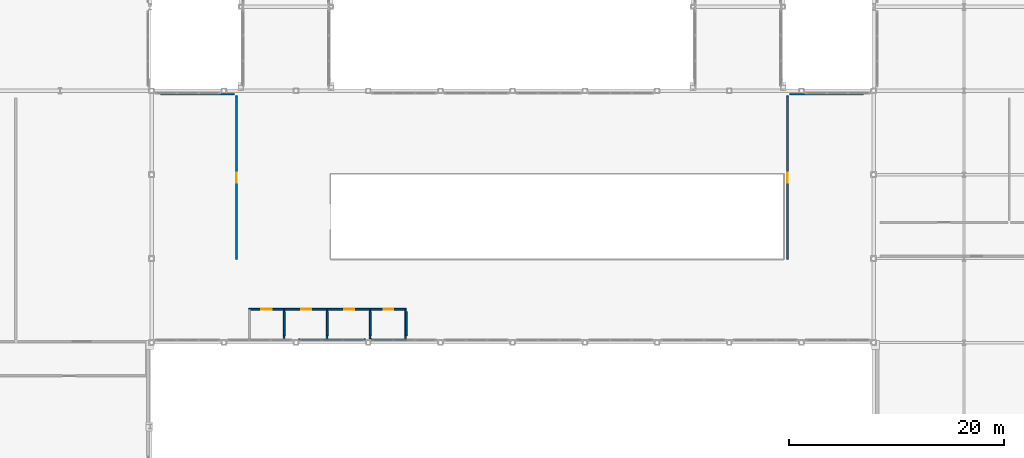
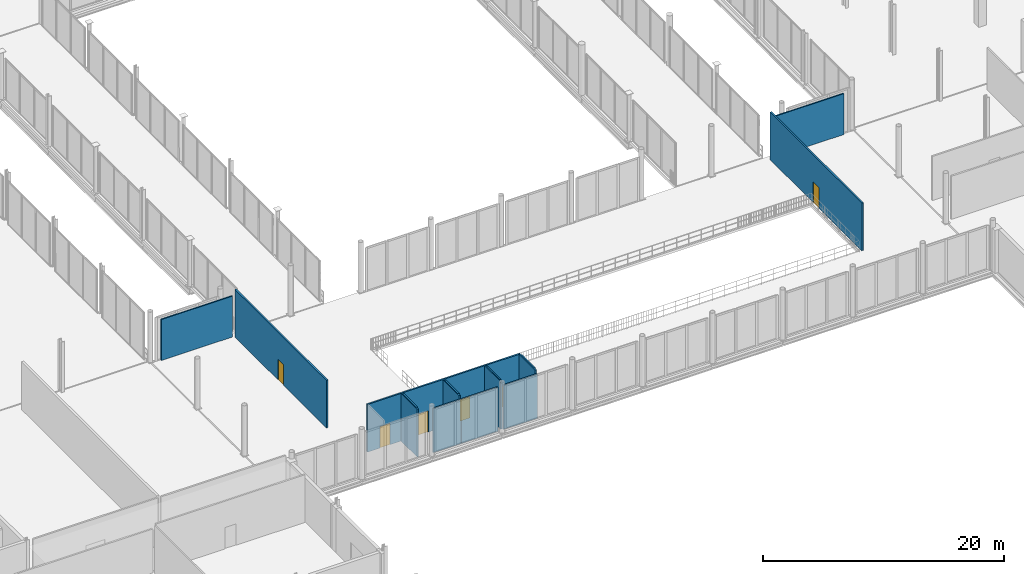
# One storey, part 77 of 105: 19 walls, 6 doors, 6 openings.
"""IFC4 building model written with IfcOpenShell, lengths in metres."""

from ifc_helpers import new_model, si_unit, direction, frame, frame_2d, origin, place, context, subcontext, project, spatial, rectangle, extrude, material, layer, layer_set, type_object, element, fill, save


model = new_model("IFC4")

# Units and contexts
model_context = context("Model", 3, precision=1e-05, world=origin(), true_north=direction((0.0, 1.0)))
body_context = subcontext(model_context, "Body", "Model", "MODEL_VIEW")
ifc_project = project(units=[si_unit("LENGTHUNIT", "METRE"), si_unit("AREAUNIT", "SQUARE_METRE"), si_unit("VOLUMEUNIT", "CUBIC_METRE"), si_unit("PLANEANGLEUNIT", "RADIAN"), si_unit("MASSUNIT", "GRAM", prefix="KILO")], contexts=[model_context])

# Site, building, storey
site_placement = place(None, origin())
site = spatial("IfcSite", under=ifc_project, at=site_placement, CompositionType="ELEMENT")
building_placement = place(site_placement, origin())
building = spatial("IfcBuilding", under=site, at=building_placement, Name="Nabrawat Pavilion Hospital", CompositionType="ELEMENT")
storey_placement = place(building_placement, frame((0.0, 0.0, 5.10009765625)))
storey = spatial("IfcBuildingStorey", under=building, at=storey_placement, Name="L01", CompositionType="ELEMENT", Elevation=5.10009765625)

# Wall, opening, door
ifc_material_1 = material(Name="Gypsum Fireboard on Steel Stud", Category="steel")
ifc_layer_1 = layer(ifc_material_1, 0.14990234375, Name="Gypsum Fireboard on Steel Stud")
ifc_layer_set_1 = layer_set([ifc_layer_1], Name="Gypsum Fireboard on Steel Stud")
wall_type_1 = type_object("IfcWallType", Name="Clinical Corridor Smoke-Barrier Wall 150", PredefinedType="PARTITIONING", material=ifc_layer_set_1)
wall_1_placement = place(storey_placement, frame((67.93505859375, 18.699951171875, 0.0), z_axis=(0.0, 0.0, 1.0), x_axis=(1.0, 0.0, 0.0)))
wall_1 = element("IfcWall", 1, at=wall_1_placement, inside=storey, type_object=wall_type_1, Name="L01 L01 Accessible WC Front Partition", PredefinedType="PARTITIONING", context=body_context, shape_type="SweptSolid", body=[
    extrude(rectangle(XDim=3.329833984375, YDim=0.14990234375, at=frame_2d((1.6650390625, 0.0))), origin(), (0.0, 0.0, 1.0), 4.81982421875),
])
opening_1_placement = place(wall_1_placement, frame((1.1650390625, 0.0, 0.0)))
opening_1 = element("IfcOpeningElement", 2, at=opening_1_placement, cuts=wall_1, Name="Opening D-WC-ACC", PredefinedType="OPENING", context=body_context, shape_type="SweptSolid", body=[
    extrude(rectangle(XDim=1.0, YDim=2.14990234375, at=frame_2d((0.5, 1.074951171875))), frame((0.0, 0.0849609375, 0.0), z_axis=(0.0, -1.0, 0.0), x_axis=(1.0, 0.0, 0.0)), (0.0, 0.0, 1.0), 0.169921875),
])
ifc_material_2 = material(Name="Stainless-Clad Acoustic Timber and Vision Glass", Category="wood")
door_type_1 = type_object("IfcDoorType", Name="Accessible Washroom Outward Door 1000x2150", OperationType="NOTDEFINED", PredefinedType="DOOR", material=ifc_material_2)
door_1_placement = place(opening_1_placement, origin())
door_1 = element("IfcDoor", 3, at=door_1_placement, inside=storey, type_object=door_type_1, Name="L01 Accessible WC Door", OperationType="SINGLE_SWING_LEFT", OverallHeight=2.14990234375, OverallWidth=1.0, PredefinedType="DOOR", context=body_context, shape_type="SweptSolid", body=[
    extrude(rectangle(XDim=1.0, YDim=2.14990234375, at=frame_2d((0.5, 1.074951171875))), frame((0.0, 0.02490234375, 0.0), z_axis=(0.0, -1.0, 0.0), x_axis=(1.0, 0.0, 0.0)), (0.0, 0.0, 1.0), 0.050048828125),
])
fill(opening_1, door_1)

wall_2_placement = place(storey_placement, frame((71.294921875, 18.699951171875, 0.0), z_axis=(0.0, 0.0, 1.0), x_axis=(1.0, 0.0, 0.0)))
wall_2 = element("IfcWall", 4, at=wall_2_placement, inside=storey, type_object=wall_type_1, Name="L01 L01 Visitor Female Washroom Front Partition", PredefinedType="PARTITIONING", context=body_context, shape_type="SweptSolid", body=[
    extrude(rectangle(XDim=3.969970703125, YDim=0.14990234375, at=frame_2d((1.98486328125, 0.0))), origin(), (0.0, 0.0, 1.0), 4.81982421875),
])
opening_2_placement = place(wall_2_placement, frame((1.52490234375, 0.0, 0.0)))
opening_2 = element("IfcOpeningElement", 5, at=opening_2_placement, cuts=wall_2, Name="Opening D-WC-STD", PredefinedType="OPENING", context=body_context, shape_type="SweptSolid", body=[
    extrude(rectangle(XDim=0.919921875, YDim=2.14990234375, at=frame_2d((0.4599609375, 1.074951171875))), frame((0.0, 0.0849609375, 0.0), z_axis=(0.0, -1.0, 0.0), x_axis=(1.0, 0.0, 0.0)), (0.0, 0.0, 1.0), 0.169921875),
])
door_type_2 = type_object("IfcDoorType", Name="Washroom Lobby Privacy Door 920x2150", OperationType="NOTDEFINED", PredefinedType="DOOR", material=ifc_material_2)
door_2_placement = place(opening_2_placement, origin())
door_2 = element("IfcDoor", 6, at=door_2_placement, inside=storey, type_object=door_type_2, Name="L01 Visitor Female Washroom Door", OperationType="SINGLE_SWING_RIGHT", OverallHeight=2.14990234375, OverallWidth=0.919921875, PredefinedType="DOOR", context=body_context, shape_type="SweptSolid", body=[
    extrude(rectangle(XDim=0.919921875, YDim=2.14990234375, at=frame_2d((0.4599609375, 1.074951171875))), frame((0.0, 0.02490234375, 0.0), z_axis=(0.0, -1.0, 0.0), x_axis=(1.0, 0.0, 0.0)), (0.0, 0.0, 1.0), 0.050048828125),
])
fill(opening_2, door_2)

wall_3_placement = place(storey_placement, frame((75.294921875, 18.699951171875, 0.0), z_axis=(0.0, 0.0, 1.0), x_axis=(1.0, 0.0, 0.0)))
wall_3 = element("IfcWall", 7, at=wall_3_placement, inside=storey, type_object=wall_type_1, Name="L01 L01 Visitor Male Washroom Front Partition", PredefinedType="PARTITIONING", context=body_context, shape_type="SweptSolid", body=[
    extrude(rectangle(XDim=3.969970703125, YDim=0.14990234375, at=frame_2d((1.98486328125, 0.0))), origin(), (0.0, 0.0, 1.0), 4.81982421875),
])
opening_3_placement = place(wall_3_placement, frame((1.52490234375, 0.0, 0.0)))
opening_3 = element("IfcOpeningElement", 8, at=opening_3_placement, cuts=wall_3, Name="Opening D-WC-STD", PredefinedType="OPENING", context=body_context, shape_type="SweptSolid", body=[
    extrude(rectangle(XDim=0.919921875, YDim=2.14990234375, at=frame_2d((0.4599609375, 1.074951171875))), frame((0.0, 0.0849609375, 0.0), z_axis=(0.0, -1.0, 0.0), x_axis=(1.0, 0.0, 0.0)), (0.0, 0.0, 1.0), 0.169921875),
])
door_3_placement = place(opening_3_placement, origin())
door_3 = element("IfcDoor", 9, at=door_3_placement, inside=storey, type_object=door_type_2, Name="L01 Visitor Male Washroom Door", OperationType="SINGLE_SWING_LEFT", OverallHeight=2.14990234375, OverallWidth=0.919921875, PredefinedType="DOOR", context=body_context, shape_type="SweptSolid", body=[
    extrude(rectangle(XDim=0.919921875, YDim=2.14990234375, at=frame_2d((0.4599609375, 1.074951171875))), frame((0.0, 0.02490234375, 0.0), z_axis=(0.0, -1.0, 0.0), x_axis=(1.0, 0.0, 0.0)), (0.0, 0.0, 1.0), 0.050048828125),
])
fill(opening_3, door_3)

wall_4_placement = place(storey_placement, frame((79.294921875, 18.699951171875, 0.0), z_axis=(0.0, 0.0, 1.0), x_axis=(1.0, 0.0, 0.0)))
wall_4 = element("IfcWall", 10, at=wall_4_placement, inside=storey, type_object=wall_type_1, Name="L01 L01 Dirty Utility Sluice Room Front Partition", PredefinedType="PARTITIONING", context=body_context, shape_type="SweptSolid", body=[
    extrude(rectangle(XDim=3.27001953125, YDim=0.14990234375, at=frame_2d((1.635009765625, 0.0))), origin(), (0.0, 0.0, 1.0), 4.81982421875),
])
opening_4_placement = place(wall_4_placement, frame((1.175048828125, 0.0, 0.0)))
opening_4 = element("IfcOpeningElement", 11, at=opening_4_placement, cuts=wall_4, Name="Opening D-WC-STD", PredefinedType="OPENING", context=body_context, shape_type="SweptSolid", body=[
    extrude(rectangle(XDim=0.919921875, YDim=2.14990234375, at=frame_2d((0.4599609375, 1.074951171875))), frame((0.0, 0.0849609375, 0.0), z_axis=(0.0, -1.0, 0.0), x_axis=(1.0, 0.0, 0.0)), (0.0, 0.0, 1.0), 0.169921875),
])
door_4_placement = place(opening_4_placement, origin())
door_4 = element("IfcDoor", 12, at=door_4_placement, inside=storey, type_object=door_type_2, Name="L01 Dirty Utility Sluice Room Door", OperationType="SINGLE_SWING_RIGHT", OverallHeight=2.14990234375, OverallWidth=0.919921875, PredefinedType="DOOR", context=body_context, shape_type="SweptSolid", body=[
    extrude(rectangle(XDim=0.919921875, YDim=2.14990234375, at=frame_2d((0.4599609375, 1.074951171875))), frame((0.0, 0.02490234375, 0.0), z_axis=(0.0, -1.0, 0.0), x_axis=(1.0, 0.0, 0.0)), (0.0, 0.0, 1.0), 0.050048828125),
])
fill(opening_4, door_4)

wall_5_placement = place(storey_placement, frame((66.800048828125, 23.330078125, 0.0), z_axis=(0.0, 0.0, 1.0), x_axis=(0.0, 1.0, 0.0)))
wall_5 = element("IfcWall", 13, at=wall_5_placement, inside=storey, type_object=wall_type_1, Name="L01 Clinical Case Review Room L01 Front Partition", PredefinedType="PARTITIONING", context=body_context, shape_type="SweptSolid", body=[
    extrude(rectangle(XDim=15.18994140625, YDim=0.14990234375, at=frame_2d((7.594970703125, 0.0))), origin(), (0.0, 0.0, 1.0), 4.81982421875),
])
opening_5_placement = place(wall_5_placement, frame((7.1201171875, 0.0, 0.0)))
opening_5 = element("IfcOpeningElement", 14, at=opening_5_placement, cuts=wall_5, Name="Opening D-ADM", PredefinedType="OPENING", context=body_context, shape_type="SweptSolid", body=[
    extrude(rectangle(XDim=0.949951171875, YDim=2.10009765625, at=frame_2d((0.47509765625, 1.050048828125))), frame((0.0, 0.0849609375, 0.0), z_axis=(0.0, -1.0, 0.0), x_axis=(1.0, 0.0, 0.0)), (0.0, 0.0, 1.0), 0.169921875),
])
door_type_3 = type_object("IfcDoorType", Name="Clinical Office Acoustic Door 950x2100", OperationType="NOTDEFINED", PredefinedType="DOOR", material=ifc_material_2)
door_5_placement = place(opening_5_placement, origin())
door_5 = element("IfcDoor", 15, at=door_5_placement, inside=storey, type_object=door_type_3, Name="Clinical Case Review Room L01 Door", OperationType="SINGLE_SWING_RIGHT", OverallHeight=2.10009765625, OverallWidth=0.949951171875, PredefinedType="DOOR", context=body_context, shape_type="SweptSolid", body=[
    extrude(rectangle(XDim=0.949951171875, YDim=2.10009765625, at=frame_2d((0.47509765625, 1.050048828125))), frame((0.0, 0.02490234375, 0.0), z_axis=(0.0, -1.0, 0.0), x_axis=(1.0, 0.0, 0.0)), (0.0, 0.0, 1.0), 0.050048828125),
])
fill(opening_5, door_5)

wall_6_placement = place(storey_placement, frame((118.0, 23.330078125, 0.0), z_axis=(0.0, 0.0, 1.0), x_axis=(0.0, 1.0, 0.0)))
wall_6 = element("IfcWall", 16, at=wall_6_placement, inside=storey, type_object=wall_type_1, Name="L01 Clinical Medical Library Suite L01 Front Partition", PredefinedType="PARTITIONING", context=body_context, shape_type="SweptSolid", body=[
    extrude(rectangle(XDim=15.18994140625, YDim=0.14990234375, at=frame_2d((7.594970703125, 0.0))), origin(), (0.0, 0.0, 1.0), 4.81982421875),
])
opening_6_placement = place(wall_6_placement, frame((7.1201171875, 0.0, 0.0)))
opening_6 = element("IfcOpeningElement", 17, at=opening_6_placement, cuts=wall_6, Name="Opening D-ADM", PredefinedType="OPENING", context=body_context, shape_type="SweptSolid", body=[
    extrude(rectangle(XDim=0.949951171875, YDim=2.10009765625, at=frame_2d((0.47509765625, 1.050048828125))), frame((0.0, 0.0849609375, 0.0), z_axis=(0.0, -1.0, 0.0), x_axis=(1.0, 0.0, 0.0)), (0.0, 0.0, 1.0), 0.169921875),
])
door_6_placement = place(opening_6_placement, origin())
door_6 = element("IfcDoor", 18, at=door_6_placement, inside=storey, type_object=door_type_3, Name="Clinical Medical Library Suite L01 Door", OperationType="SINGLE_SWING_LEFT", OverallHeight=2.10009765625, OverallWidth=0.949951171875, PredefinedType="DOOR", context=body_context, shape_type="SweptSolid", body=[
    extrude(rectangle(XDim=0.949951171875, YDim=2.10009765625, at=frame_2d((0.47509765625, 1.050048828125))), frame((0.0, 0.02490234375, 0.0), z_axis=(0.0, -1.0, 0.0), x_axis=(1.0, 0.0, 0.0)), (0.0, 0.0, 1.0), 0.050048828125),
])
fill(opening_6, door_6)

# Walls
ifc_material_3 = material(Name="Cement Board on Steel Stud", Category="steel")
ifc_layer_2 = layer(ifc_material_3, 0.1298828125, Name="Cement Board on Steel Stud")
ifc_layer_set_2 = layer_set([ifc_layer_2], Name="Cement Board on Steel Stud")
wall_type_2 = type_object("IfcWallType", Name="En-Suite Moisture-Resistant Partition 130", PredefinedType="PARTITIONING", material=ifc_layer_set_2)
wall_7_placement = place(storey_placement, frame((71.199951171875, 15.965087890625, 0.0), z_axis=(0.0, 0.0, 1.0), x_axis=(0.0, 1.0, 0.0)))
element("IfcWall", 19, at=wall_7_placement, inside=storey, type_object=wall_type_2, Name="L01 L01 Accessible WC East Partition", PredefinedType="PARTITIONING", context=body_context, shape_type="SweptSolid", body=[
    extrude(rectangle(XDim=2.669921875, YDim=0.1298828125, at=frame_2d((1.3349609375, 0.0))), origin(), (0.0, 0.0, 1.0), 4.81982421875),
])
wall_8_placement = place(storey_placement, frame((71.280029296875, 16.25, 0.0), z_axis=(0.0, 0.0, 1.0), x_axis=(0.0, 1.0, 0.0)))
element("IfcWall", 20, at=wall_8_placement, inside=storey, type_object=wall_type_2, Name="L01 L01 Accessible WC Dividing Partition", PredefinedType="PARTITIONING", context=body_context, shape_type="SweptSolid", body=[
    extrude(rectangle(XDim=2.22998046875, YDim=0.1298828125, at=frame_2d((1.114990234375, 0.0))), origin(), (0.0, 0.0, 1.0), 4.81982421875),
])
wall_9_placement = place(storey_placement, frame((72.594482421875, 15.89990234375, 0.0), z_axis=(0.0, 0.0, 1.0), x_axis=(1.0, 0.0, 0.0)))
element("IfcWall", 21, at=wall_9_placement, inside=storey, type_object=wall_type_2, Name="L01 L01 Visitor Female Washroom South Partition", PredefinedType="PARTITIONING", context=body_context, shape_type="SweptSolid", body=[
    extrude(rectangle(XDim=2.67041015625, YDim=0.1298828125, at=frame_2d((1.335205078125, 0.0))), origin(), (0.0, 0.0, 1.0), 4.449951171875),
])
wall_10_placement = place(storey_placement, frame((75.199951171875, 15.965087890625, 0.0), z_axis=(0.0, 0.0, 1.0), x_axis=(0.0, 1.0, 0.0)))
element("IfcWall", 22, at=wall_10_placement, inside=storey, type_object=wall_type_2, Name="L01 L01 Visitor Female Washroom East Partition", PredefinedType="PARTITIONING", context=body_context, shape_type="SweptSolid", body=[
    extrude(rectangle(XDim=2.669921875, YDim=0.1298828125, at=frame_2d((1.3349609375, 0.0))), origin(), (0.0, 0.0, 1.0), 4.81982421875),
])
wall_11_placement = place(storey_placement, frame((75.280029296875, 16.25, 0.0), z_axis=(0.0, 0.0, 1.0), x_axis=(0.0, 1.0, 0.0)))
element("IfcWall", 23, at=wall_11_placement, inside=storey, type_object=wall_type_2, Name="L01 L01 Visitor Female Washroom Dividing Partition", PredefinedType="PARTITIONING", context=body_context, shape_type="SweptSolid", body=[
    extrude(rectangle(XDim=2.22998046875, YDim=0.1298828125, at=frame_2d((1.114990234375, 0.0))), origin(), (0.0, 0.0, 1.0), 4.81982421875),
])
wall_12_placement = place(storey_placement, frame((75.294921875, 15.89990234375, 0.0), z_axis=(0.0, 0.0, 1.0), x_axis=(1.0, 0.0, 0.0)))
element("IfcWall", 24, at=wall_12_placement, inside=storey, type_object=wall_type_2, Name="L01 L01 Visitor Male Washroom South Partition", PredefinedType="PARTITIONING", context=body_context, shape_type="SweptSolid", body=[
    extrude(rectangle(XDim=3.490478515625, YDim=0.1298828125, at=frame_2d((1.7451171875, 0.0))), origin(), (0.0, 0.0, 1.0), 4.449951171875),
])
wall_13_placement = place(storey_placement, frame((79.199951171875, 15.965087890625, 0.0), z_axis=(0.0, 0.0, 1.0), x_axis=(0.0, 1.0, 0.0)))
element("IfcWall", 25, at=wall_13_placement, inside=storey, type_object=wall_type_2, Name="L01 L01 Visitor Male Washroom East Partition", PredefinedType="PARTITIONING", context=body_context, shape_type="SweptSolid", body=[
    extrude(rectangle(XDim=2.669921875, YDim=0.1298828125, at=frame_2d((1.3349609375, 0.0))), origin(), (0.0, 0.0, 1.0), 4.81982421875),
])
wall_14_placement = place(storey_placement, frame((79.280029296875, 16.25, 0.0), z_axis=(0.0, 0.0, 1.0), x_axis=(0.0, 1.0, 0.0)))
element("IfcWall", 26, at=wall_14_placement, inside=storey, type_object=wall_type_2, Name="L01 L01 Visitor Male Washroom Dividing Partition", PredefinedType="PARTITIONING", context=body_context, shape_type="SweptSolid", body=[
    extrude(rectangle(XDim=2.22998046875, YDim=0.1298828125, at=frame_2d((1.114990234375, 0.0))), origin(), (0.0, 0.0, 1.0), 4.81982421875),
])
wall_15_placement = place(storey_placement, frame((79.302490234375, 15.89990234375, 0.0), z_axis=(0.0, 0.0, 1.0), x_axis=(1.0, 0.0, 0.0)))
element("IfcWall", 27, at=wall_15_placement, inside=storey, type_object=wall_type_2, Name="L01 L01 Dirty Utility Sluice Room South Partition", PredefinedType="PARTITIONING", context=body_context, shape_type="SweptSolid", body=[
    extrude(rectangle(XDim=3.262451171875, YDim=0.1298828125, at=frame_2d((1.63134765625, 0.0))), origin(), (0.0, 0.0, 1.0), 4.449951171875),
])
wall_16_placement = place(storey_placement, frame((82.5, 15.965087890625, 0.0), z_axis=(0.0, 0.0, 1.0), x_axis=(0.0, 1.0, 0.0)))
element("IfcWall", 28, at=wall_16_placement, inside=storey, type_object=wall_type_2, Name="L01 L01 Dirty Utility Sluice Room East Partition", PredefinedType="PARTITIONING", context=body_context, shape_type="SweptSolid", body=[
    extrude(rectangle(XDim=2.669921875, YDim=0.1298828125, at=frame_2d((1.3349609375, 0.0))), origin(), (0.0, 0.0, 1.0), 4.81982421875),
])
wall_17_placement = place(storey_placement, frame((82.580078125, 16.25, 0.0), z_axis=(0.0, 0.0, 1.0), x_axis=(0.0, 1.0, 0.0)))
element("IfcWall", 29, at=wall_17_placement, inside=storey, type_object=wall_type_2, Name="L01 L01 Dirty Utility Sluice Room Dividing Partition", PredefinedType="PARTITIONING", context=body_context, shape_type="SweptSolid", body=[
    extrude(rectangle(XDim=2.22998046875, YDim=0.1298828125, at=frame_2d((1.114990234375, 0.0))), origin(), (0.0, 0.0, 1.0), 4.81982421875),
])
ifc_material_4 = material(Name="Gypsum Plasterboard on Stud", Category="gypsum")
ifc_layer_3 = layer(ifc_material_4, 0.1201171875, Name="Gypsum Plasterboard on Stud")
ifc_layer_set_3 = layer_set([ifc_layer_3], Name="Gypsum Plasterboard on Stud")
wall_type_3 = type_object("IfcWallType", Name="Outpatient Consultation Partition 120", PredefinedType="PARTITIONING", material=ifc_layer_set_3)
for number, where, z_axis, x_axis, name in (
    (30, (59.75, 38.679931640625, 0.0), (0.0, 0.0, 1.0), (1.0, 0.0, 0.0), "L01 Clinical Case Review Room L01 Dividing Partition"),
    (31, (118.219970703125, 38.679931640625, 0.0), (0.0, 0.0, 1.0), (1.0, 0.0, 0.0), "L01 Clinical Medical Library Suite L01 Dividing Partition"),
):
    element("IfcWall", number, at=place(storey_placement, frame(where, z_axis=z_axis, x_axis=x_axis)), inside=storey, type_object=wall_type_3, Name=name, PredefinedType="PARTITIONING", context=body_context, shape_type="SweptSolid", body=[
        extrude(rectangle(XDim=6.830078125, YDim=0.1201171875, at=frame_2d((3.4150390625, 0.0))), origin(), (0.0, 0.0, 1.0), 4.139892578125),
    ])

save(model, "model.ifc")
